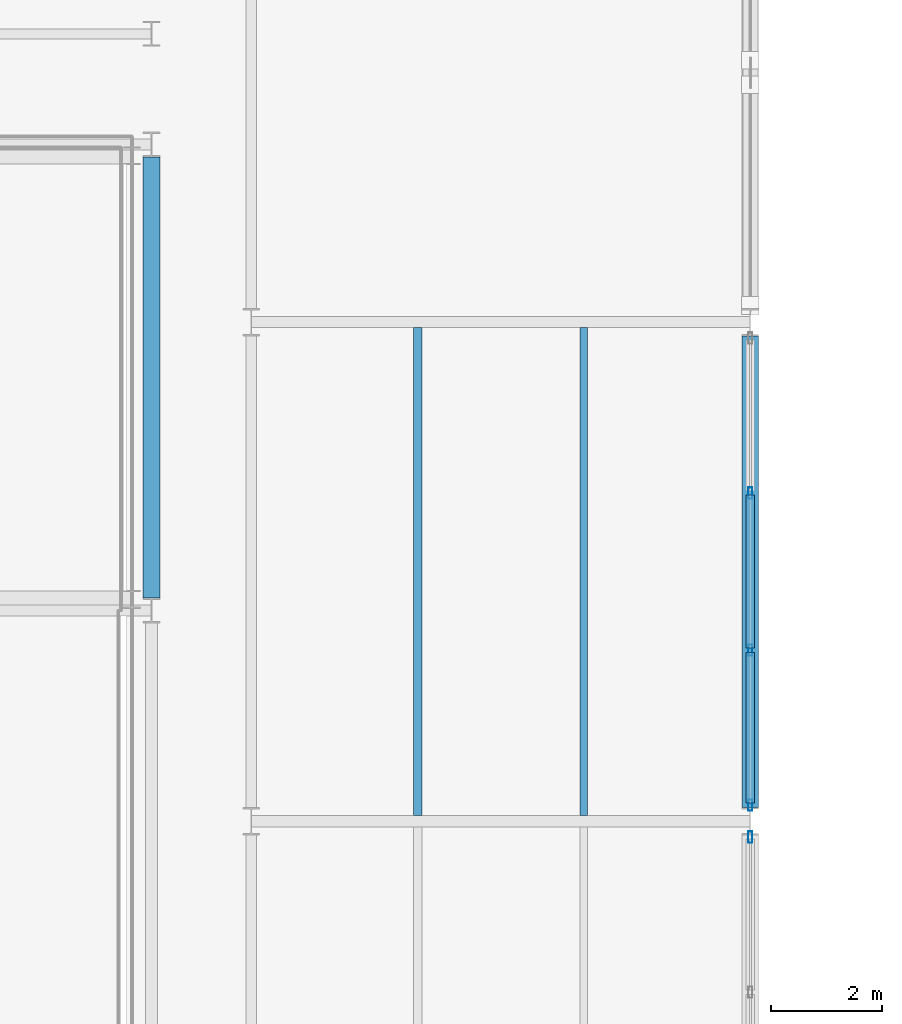
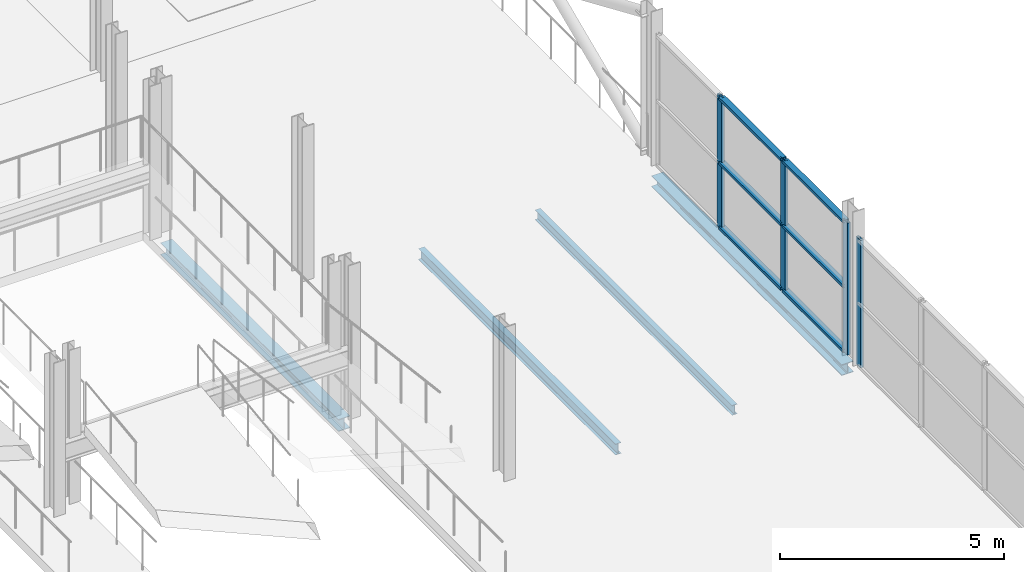
# One storey, part 83 of 140: 10 members, 4 beams, 2 elements without a shape of their own.
"""IFC4 building model written with IfcOpenShell, lengths in metres."""

from ifc_helpers import new_model, si_unit, direction, frame, origin, origin_2d, place, context, subcontext, project, spatial, hollow_rectangle, i_section, extrude, material, layer, layer_set, material_profile, profile_set, type_object, element, aggregate, save


model = new_model("IFC4")

# Units and contexts
model_context = context("Model", 3, precision=1e-05, world=origin(), true_north=direction((0.0, 1.0)))
body_context = subcontext(model_context, "Body", "Model", "MODEL_VIEW")
ifc_project = project(units=[si_unit("LENGTHUNIT", "METRE"), si_unit("AREAUNIT", "SQUARE_METRE"), si_unit("VOLUMEUNIT", "CUBIC_METRE"), si_unit("PLANEANGLEUNIT", "RADIAN"), si_unit("MASSUNIT", "GRAM", prefix="KILO")], contexts=[model_context])

# Site, building, storey
site_placement = place(None, origin())
site = spatial("IfcSite", under=ifc_project, at=site_placement, CompositionType="ELEMENT")
building_placement = place(site_placement, origin())
building = spatial("IfcBuilding", under=site, at=building_placement, Name="Deido Ridge Mobility Hub", CompositionType="ELEMENT")
storey_placement = place(building_placement, origin())
storey = spatial("IfcBuildingStorey", under=building, at=storey_placement, Name="L00", CompositionType="ELEMENT", Elevation=0.0)

# Beams
ifc_material_1 = material(Name="Steel S355J2 EN 10025-2", Category="steel")
ifc_material_profile_1 = material_profile(ifc_material_1, i_section(OverallWidth=0.300048828125, OverallDepth=0.330078125, WebThickness=0.009521484375, FlangeThickness=0.0166015625, FilletRadius=0.027099609375, at=origin_2d()), Name="HEA 340")
ifc_profile_set_1 = profile_set([ifc_material_profile_1], Name="Steel S355J2 EN 10025-2")
beam_type_1 = type_object("IfcBeamType", Name="BM-HEA340", PredefinedType="BEAM", material=ifc_profile_set_1)
beam_1_placement = place(storey_placement, frame((97.199951171875, 67.02490234375, -0.425048828125), z_axis=(0.0, 1.0, 0.0), x_axis=(-1.0, 0.0, 0.0)))
element("IfcBeam", 1, at=beam_1_placement, inside=storey, type_object=beam_type_1, Name="Floor beam B6", PredefinedType="BEAM", context=body_context, shape_type="SweptSolid", body=[
    extrude(i_section(OverallWidth=0.300048828125, OverallDepth=0.330078125, WebThickness=0.009521484375, FlangeThickness=0.0166015625, FilletRadius=0.027099609375, at=origin_2d()), origin(), (0.0, 0.0, 1.0), 7.9501953125),
])
ifc_material_profile_2 = material_profile(ifc_material_1, i_section(OverallWidth=0.135009765625, OverallDepth=0.27001953125, WebThickness=0.006591796875, FlangeThickness=0.01025390625, FilletRadius=0.014892578125, at=origin_2d()), Name="IPE 270")
ifc_profile_set_2 = profile_set([ifc_material_profile_2], Name="Steel S355J2 EN 10025-2")
beam_type_2 = type_object("IfcBeamType", Name="JST-IPE270", PredefinedType="JOIST", material=ifc_profile_set_2)
beam_2_placement = place(storey_placement, frame((105.0, 63.10009765625, -0.39501953125), z_axis=(0.0, 1.0, 0.0), x_axis=(-1.0, 0.0, 0.0)))
element("IfcBeam", 2, at=beam_2_placement, inside=storey, type_object=beam_type_2, Name="Composite joist J4", PredefinedType="JOIST", context=body_context, shape_type="SweptSolid", body=[
    extrude(i_section(OverallWidth=0.135009765625, OverallDepth=0.27001953125, WebThickness=0.006591796875, FlangeThickness=0.01025390625, FilletRadius=0.014892578125, at=origin_2d()), origin(), (0.0, 0.0, 1.0), 8.7998046875),
])
ifc_material_profile_3 = material_profile(ifc_material_1, i_section(OverallWidth=0.14990234375, OverallDepth=0.300048828125, WebThickness=0.007080078125, FlangeThickness=0.0107421875, FilletRadius=0.014892578125, at=origin_2d()), Name="IPE 300")
ifc_profile_set_3 = profile_set([ifc_material_profile_3], Name="Steel S355J2 EN 10025-2")
beam_type_3 = type_object("IfcBeamType", Name="JST-IPE300", PredefinedType="JOIST", material=ifc_profile_set_3)
beam_3_placement = place(storey_placement, frame((102.0, 63.10009765625, -0.409912109375), z_axis=(0.0, 1.0, 0.0), x_axis=(-1.0, 0.0, 0.0)))
element("IfcBeam", 3, at=beam_3_placement, inside=storey, type_object=beam_type_3, Name="Composite joist J3", PredefinedType="JOIST", context=body_context, shape_type="SweptSolid", body=[
    extrude(i_section(OverallWidth=0.14990234375, OverallDepth=0.300048828125, WebThickness=0.007080078125, FlangeThickness=0.0107421875, FilletRadius=0.014892578125, at=origin_2d()), origin(), (0.0, 0.0, 1.0), 8.7998046875),
])

# Curtain wall, member
ifc_material_2 = material(Name="Anodised aluminium EN AW-6063 T6", Category="aluminium")
ifc_layer = layer(ifc_material_2, 0.2099609375, Name="Anodised aluminium EN AW-6063 T6")
ifc_layer_set = layer_set([ifc_layer], Name="Anodised aluminium EN AW-6063 T6")
curtain_wall_type = type_object("IfcCurtainWallType", Name="CW-UF-4", PredefinedType="USERDEFINED", material=ifc_layer_set)
curtain_wall_1_placement = place(storey_placement, origin())
curtain_wall_1 = element("IfcCurtainWall", 4, at=curtain_wall_1_placement, inside=storey, type_object=curtain_wall_type, Name="Unitised curtain wall CW4", ObjectType="UNITISED FACADE", PredefinedType="USERDEFINED")
ifc_material_profile_4 = material_profile(ifc_material_2, hollow_rectangle(XDim=0.074951171875, YDim=0.205078125, WallThickness=0.00390625, at=origin_2d()), Name="RHS 75x205x4")
ifc_profile_set_4 = profile_set([ifc_material_profile_4], Name="Anodised aluminium EN AW-6063 T6")
member_type_1 = type_object("IfcMemberType", Name="MEM-MUL-75X205", PredefinedType="MULLION", material=ifc_profile_set_4)
member_1_placement = place(storey_placement, frame((108.0, 62.71240234375, 0.0), z_axis=(0.0, 0.0, 1.0), x_axis=(-1.0, 0.0, 0.0)))
member_1 = element("IfcMember", 5, at=member_1_placement, type_object=member_type_1, Name="CW4 mullion 4", PredefinedType="MULLION", context=body_context, shape_type="SweptSolid", body=[
    extrude(hollow_rectangle(XDim=0.074951171875, YDim=0.205078125, WallThickness=0.00390625, at=origin_2d()), origin(), (0.0, 0.0, 1.0), 3.47509765625),
])
aggregate(curtain_wall_1, [member_1])

# Curtain wall, members
curtain_wall_2_placement = place(storey_placement, origin())
curtain_wall_2 = element("IfcCurtainWall", 6, at=curtain_wall_2_placement, inside=storey, type_object=curtain_wall_type, Name="Unitised curtain wall CW4", ObjectType="UNITISED FACADE", PredefinedType="USERDEFINED")
member_2_placement = place(storey_placement, frame((108.0, 63.28759765625, 0.0), z_axis=(0.0, 0.0, 1.0), x_axis=(-1.0, 0.0, 0.0)))
member_2 = element("IfcMember", 7, at=member_2_placement, type_object=member_type_1, Name="CW4 mullion 1", PredefinedType="MULLION", context=body_context, shape_type="SweptSolid", body=[
    extrude(hollow_rectangle(XDim=0.074951171875, YDim=0.205078125, WallThickness=0.00390625, at=origin_2d()), origin(), (0.0, 0.0, 1.0), 3.60009765625),
])
member_3_placement = place(storey_placement, frame((108.0, 66.083251953125, 0.0), z_axis=(0.0, 0.0, 1.0), x_axis=(-1.0, 0.0, 0.0)))
member_3 = element("IfcMember", 8, at=member_3_placement, type_object=member_type_1, Name="CW4 mullion 2", PredefinedType="MULLION", context=body_context, shape_type="SweptSolid", body=[
    extrude(hollow_rectangle(XDim=0.074951171875, YDim=0.205078125, WallThickness=0.00390625, at=origin_2d()), origin(), (0.0, 0.0, 1.0), 3.60009765625),
])
member_4_placement = place(storey_placement, frame((108.0, 68.916748046875, 0.0), z_axis=(0.0, 0.0, 1.0), x_axis=(-1.0, 0.0, 0.0)))
member_4 = element("IfcMember", 9, at=member_4_placement, type_object=member_type_1, Name="CW4 mullion 3", PredefinedType="MULLION", context=body_context, shape_type="SweptSolid", body=[
    extrude(hollow_rectangle(XDim=0.074951171875, YDim=0.205078125, WallThickness=0.00390625, at=origin_2d()), origin(), (0.0, 0.0, 1.0), 3.60009765625),
])
ifc_material_profile_5 = material_profile(ifc_material_2, hollow_rectangle(XDim=0.155029296875, YDim=0.074951171875, WallThickness=0.00390625, at=origin_2d()), Name="RHS 155x75x4")
ifc_profile_set_5 = profile_set([ifc_material_profile_5], Name="Anodised aluminium EN AW-6063 T6")
member_type_2 = type_object("IfcMemberType", Name="MEM-TRN-155X75", PredefinedType="USERDEFINED", material=ifc_profile_set_5)
member_5_placement = place(storey_placement, frame((108.0, 63.324951171875, 0.03759765625), z_axis=(0.0, 1.0, 0.0), x_axis=(-1.0, 0.0, 0.0)))
member_5 = element("IfcMember", 10, at=member_5_placement, type_object=member_type_2, Name="CW4 transom 1.1", ObjectType="TRANSOM", PredefinedType="USERDEFINED", context=body_context, shape_type="SweptSolid", body=[
    extrude(hollow_rectangle(XDim=0.155029296875, YDim=0.074951171875, WallThickness=0.00390625, at=origin_2d()), origin(), (0.0, 0.0, 1.0), 2.720947265625),
])
member_6_placement = place(storey_placement, frame((108.0, 63.324951171875, 1.800048828125), z_axis=(0.0, 1.0, 0.0), x_axis=(-1.0, 0.0, 0.0)))
member_6 = element("IfcMember", 11, at=member_6_placement, type_object=member_type_2, Name="CW4 transom 1.2", ObjectType="TRANSOM", PredefinedType="USERDEFINED", context=body_context, shape_type="SweptSolid", body=[
    extrude(hollow_rectangle(XDim=0.155029296875, YDim=0.074951171875, WallThickness=0.00390625, at=origin_2d()), origin(), (0.0, 0.0, 1.0), 2.720947265625),
])
member_7_placement = place(storey_placement, frame((108.0, 63.324951171875, 3.5625), z_axis=(0.0, 1.0, 0.0), x_axis=(-1.0, 0.0, 0.0)))
member_7 = element("IfcMember", 12, at=member_7_placement, type_object=member_type_2, Name="CW4 transom 1.3", ObjectType="TRANSOM", PredefinedType="USERDEFINED", context=body_context, shape_type="SweptSolid", body=[
    extrude(hollow_rectangle(XDim=0.155029296875, YDim=0.074951171875, WallThickness=0.00390625, at=origin_2d()), origin(), (0.0, 0.0, 1.0), 2.720947265625),
])
member_8_placement = place(storey_placement, frame((108.0, 66.120849609375, 0.03759765625), z_axis=(0.0, 1.0, 0.0), x_axis=(-1.0, 0.0, 0.0)))
member_8 = element("IfcMember", 13, at=member_8_placement, type_object=member_type_2, Name="CW4 transom 2.1", ObjectType="TRANSOM", PredefinedType="USERDEFINED", context=body_context, shape_type="SweptSolid", body=[
    extrude(hollow_rectangle(XDim=0.155029296875, YDim=0.074951171875, WallThickness=0.00390625, at=origin_2d()), origin(), (0.0, 0.0, 1.0), 2.75830078125),
])
member_9_placement = place(storey_placement, frame((108.0, 66.120849609375, 1.800048828125), z_axis=(0.0, 1.0, 0.0), x_axis=(-1.0, 0.0, 0.0)))
member_9 = element("IfcMember", 14, at=member_9_placement, type_object=member_type_2, Name="CW4 transom 2.2", ObjectType="TRANSOM", PredefinedType="USERDEFINED", context=body_context, shape_type="SweptSolid", body=[
    extrude(hollow_rectangle(XDim=0.155029296875, YDim=0.074951171875, WallThickness=0.00390625, at=origin_2d()), origin(), (0.0, 0.0, 1.0), 2.75830078125),
])
member_10_placement = place(storey_placement, frame((108.0, 66.120849609375, 3.5625), z_axis=(0.0, 1.0, 0.0), x_axis=(-1.0, 0.0, 0.0)))
member_10 = element("IfcMember", 15, at=member_10_placement, type_object=member_type_2, Name="CW4 transom 2.3", ObjectType="TRANSOM", PredefinedType="USERDEFINED", context=body_context, shape_type="SweptSolid", body=[
    extrude(hollow_rectangle(XDim=0.155029296875, YDim=0.074951171875, WallThickness=0.00390625, at=origin_2d()), origin(), (0.0, 0.0, 1.0), 2.75830078125),
])
aggregate(curtain_wall_2, [member_2, member_3, member_4, member_5, member_6, member_7, member_8, member_9, member_10])

# Beam
ifc_material_profile_6 = material_profile(ifc_material_1, i_section(OverallWidth=0.300048828125, OverallDepth=0.300048828125, WebThickness=0.010986328125, FlangeThickness=0.01904296875, FilletRadius=0.027099609375, at=origin_2d()), Name="HEB 300")
ifc_profile_set_6 = profile_set([ifc_material_profile_6], Name="Steel S355J2 EN 10025-2")
beam_type_4 = type_object("IfcBeamType", Name="SPD-HEB300", PredefinedType="SPANDREL", material=ifc_profile_set_6)
beam_4_placement = place(storey_placement, frame((108.0, 63.25, -0.409912109375), z_axis=(0.0, 1.0, 0.0), x_axis=(-1.0, 0.0, 0.0)))
element("IfcBeam", 16, at=beam_4_placement, inside=storey, type_object=beam_type_4, Name="Floor beam SP1", PredefinedType="SPANDREL", context=body_context, shape_type="SweptSolid", body=[
    extrude(i_section(OverallWidth=0.300048828125, OverallDepth=0.300048828125, WebThickness=0.010986328125, FlangeThickness=0.01904296875, FilletRadius=0.027099609375, at=origin_2d()), origin(), (0.0, 0.0, 1.0), 8.5),
])

save(model, "model.ifc")
